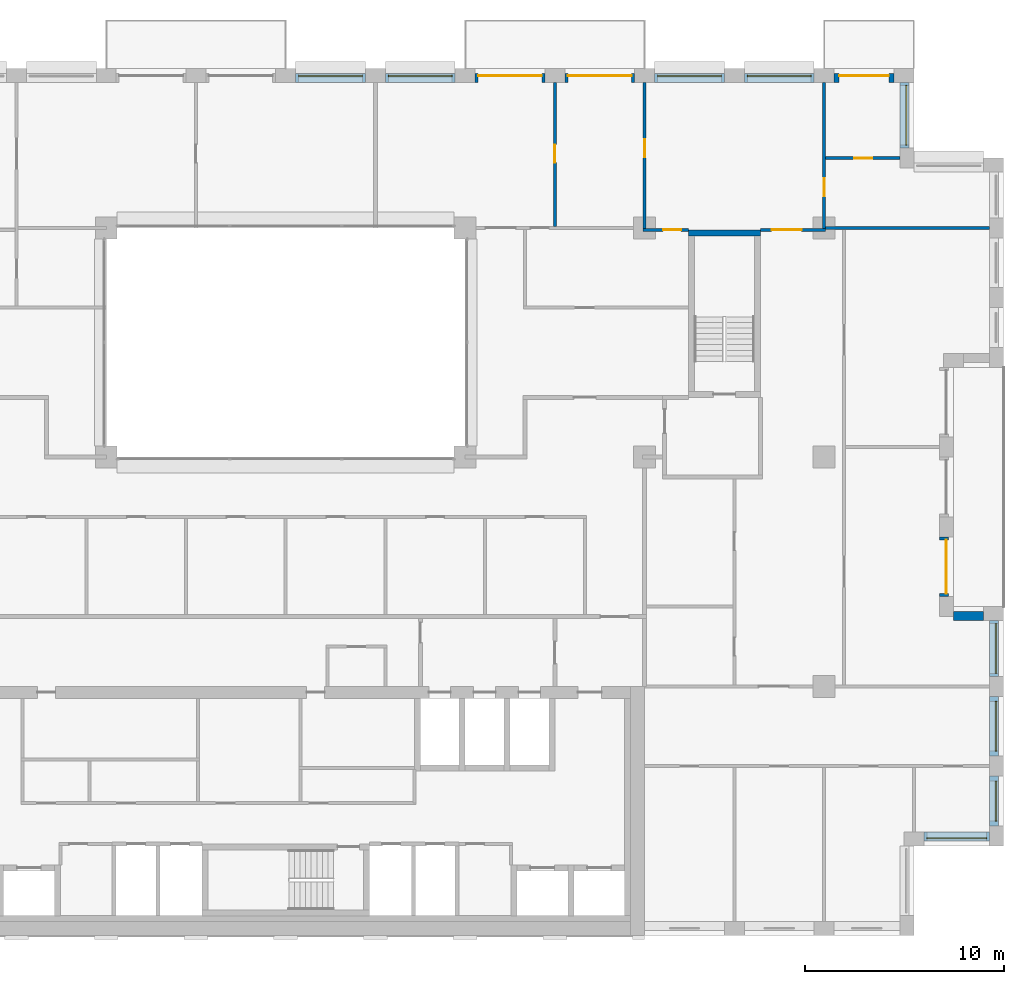
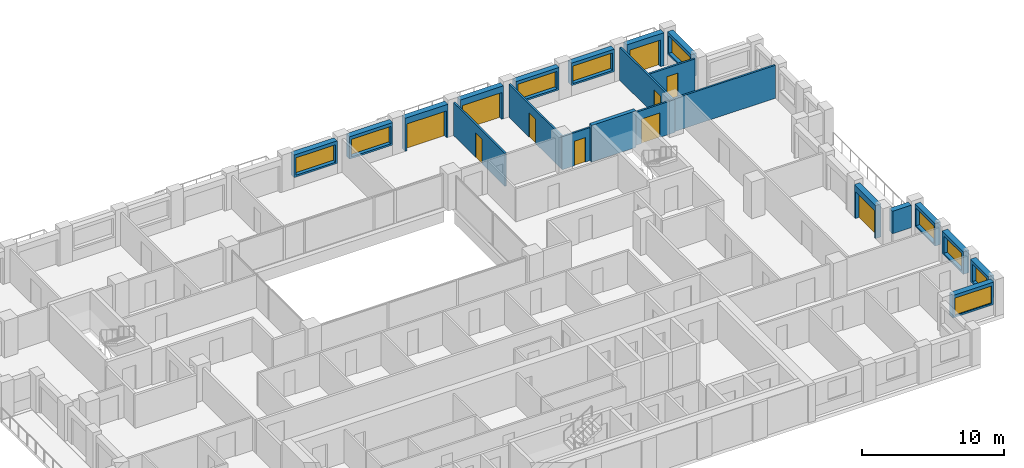
# One storey, part 13 of 15: 22 walls, 10 doors, 9 windows, 19 openings.
"""IFC4 building model written with IfcOpenShell, lengths in metres."""

from ifc_helpers import new_model, si_unit, direction, frame, frame_2d, origin, place, context, subcontext, project, spatial, rectangle, extrude, material, layer, layer_set, type_object, element, fill, save


model = new_model("IFC4")

# Units and contexts
model_context = context("Model", 3, precision=1e-05, world=origin(), true_north=direction((0.0, 1.0)))
body_context = subcontext(model_context, "Body", "Model", "MODEL_VIEW")
ifc_project = project(units=[si_unit("LENGTHUNIT", "METRE"), si_unit("AREAUNIT", "SQUARE_METRE"), si_unit("VOLUMEUNIT", "CUBIC_METRE"), si_unit("PLANEANGLEUNIT", "RADIAN"), si_unit("MASSUNIT", "GRAM", prefix="KILO")], contexts=[model_context])

# Site, building, storey
site_placement = place(None, origin())
site = spatial("IfcSite", under=ifc_project, at=site_placement, CompositionType="ELEMENT")
building_placement = place(site_placement, origin())
building = spatial("IfcBuilding", under=site, at=building_placement, Name="Brigalow Station Residences", CompositionType="ELEMENT")
storey_placement = place(building_placement, frame((0.0, 0.0, 153.89990234375)))
storey = spatial("IfcBuildingStorey", under=building, at=storey_placement, Name="L44", CompositionType="ELEMENT", Elevation=153.89990234375)

# Wall, opening, window
ifc_material_1 = material(Name="Clay brick masonry", Category="masonry")
ifc_layer_1 = layer(ifc_material_1, 0.449951171875)
ifc_layer_set_1 = layer_set([ifc_layer_1], Name="BRICK INFILL WALL 450")
wall_type_1 = type_object("IfcWallType", Name="BRICK INFILL WALL 450", PredefinedType="SOLIDWALL", material=ifc_layer_set_1)
wall_1_placement = place(storey_placement, frame((68.0, 4.97509765625, 0.900146484375), z_axis=(0.0, 0.0, 1.0), x_axis=(1.0, 0.0, 0.0)))
wall_1 = element("IfcWall", 1, at=wall_1_placement, inside=storey, type_object=wall_type_1, Name="L44/ewall/W-L44-8", PredefinedType="SOLIDWALL", context=body_context, shape_type="SweptSolid", body=[
    extrude(rectangle(XDim=3.300048828125, YDim=0.449951171875, at=frame_2d((1.64990234375, 0.0))), origin(), (0.0, 0.0, 1.0), 1.929931640625),
])
opening_1_placement = place(wall_1_placement, frame((0.14990234375, 0.0, 0.14990234375)))
opening_1 = element("IfcOpeningElement", 2, at=opening_1_placement, cuts=wall_1, Name="Opening WT-2", PredefinedType="OPENING", context=body_context, shape_type="SweptSolid", body=[
    extrude(rectangle(XDim=3.0, YDim=1.5, at=frame_2d((1.5, 0.75))), frame((0.0, 0.23486328125, 0.0), z_axis=(0.0, -1.0, 0.0), x_axis=(1.0, 0.0, 0.0)), (0.0, 0.0, 1.0), 0.469970703125),
])
ifc_material_2 = material(Name="Anodised aluminium frame with double glazing", Category="aluminium")
window_type_1 = type_object("IfcWindowType", Name="WINDOW 3000x1500", PartitioningType="SINGLE_PANEL", PredefinedType="WINDOW", material=ifc_material_2)
window_1_placement = place(opening_1_placement, origin())
window_1 = element("IfcWindow", 3, at=window_1_placement, inside=storey, type_object=window_type_1, Name="L44/window/W-L44-8", OverallHeight=1.5, OverallWidth=3.0, PartitioningType="SINGLE_PANEL", PredefinedType="WINDOW", context=body_context, shape_type="SweptSolid", body=[
    extrude(rectangle(XDim=3.0, YDim=1.5, at=frame_2d((1.5, 0.75))), frame((0.0, -0.06494140625, 0.0), z_axis=(0.0, -1.0, 0.0), x_axis=(1.0, 0.0, 0.0)), (0.0, 0.0, 1.0), 0.06005859375),
])
fill(opening_1, window_1)

wall_2_placement = place(storey_placement, frame((71.52490234375, 5.5, 0.900146484375), z_axis=(0.0, 0.0, 1.0), x_axis=(0.0, 1.0, 0.0)))
wall_2 = element("IfcWall", 4, at=wall_2_placement, inside=storey, type_object=wall_type_1, Name="L44/ewall/W-L44-9", PredefinedType="SOLIDWALL", context=body_context, shape_type="SweptSolid", body=[
    extrude(rectangle(XDim=2.5, YDim=0.449951171875, at=frame_2d((1.25, 0.0))), origin(), (0.0, 0.0, 1.0), 1.929931640625),
])
opening_2_placement = place(wall_2_placement, frame((0.25, 0.0, 0.14990234375)))
opening_2 = element("IfcOpeningElement", 5, at=opening_2_placement, cuts=wall_2, Name="Opening WT-7", PredefinedType="OPENING", context=body_context, shape_type="SweptSolid", body=[
    extrude(rectangle(XDim=2.0, YDim=1.5, at=frame_2d((1.0, 0.75))), frame((0.0, 0.23486328125, 0.0), z_axis=(0.0, -1.0, 0.0), x_axis=(1.0, 0.0, 0.0)), (0.0, 0.0, 1.0), 0.469970703125),
])
ifc_material_3 = material(Name="Anodised aluminium frame with double glazing", Category="aluminium")
window_type_2 = type_object("IfcWindowType", Name="WINDOW 2000x1500", PartitioningType="SINGLE_PANEL", PredefinedType="WINDOW", material=ifc_material_3)
window_2_placement = place(opening_2_placement, origin())
window_2 = element("IfcWindow", 6, at=window_2_placement, inside=storey, type_object=window_type_2, Name="L44/window/W-L44-9", OverallHeight=1.5, OverallWidth=2.0, PartitioningType="SINGLE_PANEL", PredefinedType="WINDOW", context=body_context, shape_type="SweptSolid", body=[
    extrude(rectangle(XDim=2.0, YDim=1.5, at=frame_2d((1.0, 0.75))), frame((0.0, -0.06494140625, 0.0), z_axis=(0.0, -1.0, 0.0), x_axis=(1.0, 0.0, 0.0)), (0.0, 0.0, 1.0), 0.06005859375),
])
fill(opening_2, window_2)

wall_3_placement = place(storey_placement, frame((71.52490234375, 9.0, 0.900146484375), z_axis=(0.0, 0.0, 1.0), x_axis=(0.0, 1.0, 0.0)))
wall_3 = element("IfcWall", 7, at=wall_3_placement, inside=storey, type_object=wall_type_1, Name="L44/ewall/W-L44-10", PredefinedType="SOLIDWALL", context=body_context, shape_type="SweptSolid", body=[
    extrude(rectangle(XDim=3.0, YDim=0.449951171875, at=frame_2d((1.5, 0.0))), origin(), (0.0, 0.0, 1.0), 1.929931640625),
])
opening_3_placement = place(wall_3_placement, frame((0.25, 0.0, 0.14990234375)))
opening_3 = element("IfcOpeningElement", 8, at=opening_3_placement, cuts=wall_3, Name="Opening WT-5", PredefinedType="OPENING", context=body_context, shape_type="SweptSolid", body=[
    extrude(rectangle(XDim=2.5, YDim=1.5, at=frame_2d((1.25, 0.75))), frame((0.0, 0.23486328125, 0.0), z_axis=(0.0, -1.0, 0.0), x_axis=(1.0, 0.0, 0.0)), (0.0, 0.0, 1.0), 0.469970703125),
])
ifc_material_4 = material(Name="Anodised aluminium frame with double glazing", Category="aluminium")
window_type_3 = type_object("IfcWindowType", Name="WINDOW 2500x1500", PartitioningType="SINGLE_PANEL", PredefinedType="WINDOW", material=ifc_material_4)
window_3_placement = place(opening_3_placement, origin())
window_3 = element("IfcWindow", 9, at=window_3_placement, inside=storey, type_object=window_type_3, Name="L44/window/W-L44-10", OverallHeight=1.5, OverallWidth=2.5, PartitioningType="SINGLE_PANEL", PredefinedType="WINDOW", context=body_context, shape_type="SweptSolid", body=[
    extrude(rectangle(XDim=2.5, YDim=1.5, at=frame_2d((1.25, 0.75))), frame((0.0, -0.06494140625, 0.0), z_axis=(0.0, -1.0, 0.0), x_axis=(1.0, 0.0, 0.0)), (0.0, 0.0, 1.0), 0.06005859375),
])
fill(opening_3, window_3)

wall_4_placement = place(storey_placement, frame((71.52490234375, 13.0, 0.900146484375), z_axis=(0.0, 0.0, 1.0), x_axis=(0.0, 1.0, 0.0)))
wall_4 = element("IfcWall", 10, at=wall_4_placement, inside=storey, type_object=wall_type_1, Name="L44/ewall/W-L44-11", PredefinedType="SOLIDWALL", context=body_context, shape_type="SweptSolid", body=[
    extrude(rectangle(XDim=2.800048828125, YDim=0.449951171875, at=frame_2d((1.39990234375, 0.0))), origin(), (0.0, 0.0, 1.0), 1.929931640625),
])
opening_4_placement = place(wall_4_placement, frame((0.14990234375, 0.0, 0.14990234375)))
opening_4 = element("IfcOpeningElement", 11, at=opening_4_placement, cuts=wall_4, Name="Opening WT-5", PredefinedType="OPENING", context=body_context, shape_type="SweptSolid", body=[
    extrude(rectangle(XDim=2.5, YDim=1.5, at=frame_2d((1.25, 0.75))), frame((0.0, 0.23486328125, 0.0), z_axis=(0.0, -1.0, 0.0), x_axis=(1.0, 0.0, 0.0)), (0.0, 0.0, 1.0), 0.469970703125),
])
window_4_placement = place(opening_4_placement, origin())
window_4 = element("IfcWindow", 12, at=window_4_placement, inside=storey, type_object=window_type_3, Name="L44/window/W-L44-11", OverallHeight=1.5, OverallWidth=2.5, PartitioningType="SINGLE_PANEL", PredefinedType="WINDOW", context=body_context, shape_type="SweptSolid", body=[
    extrude(rectangle(XDim=2.5, YDim=1.5, at=frame_2d((1.25, 0.75))), frame((0.0, -0.06494140625, 0.0), z_axis=(0.0, -1.0, 0.0), x_axis=(1.0, 0.0, 0.0)), (0.0, 0.0, 1.0), 0.06005859375),
])
fill(opening_4, window_4)

# Wall
wall_5_placement = place(storey_placement, frame((71.0, 16.02490234375, 0.900146484375), z_axis=(0.0, 0.0, 1.0), x_axis=(-1.0, 0.0, 0.0)))
element("IfcWall", 13, at=wall_5_placement, inside=storey, type_object=wall_type_1, Name="L44/ewall/W-L44-12", PredefinedType="SOLIDWALL", context=body_context, shape_type="SweptSolid", body=[
    extrude(rectangle(XDim=1.5, YDim=0.449951171875, at=frame_2d((0.75, 0.0))), origin(), (0.0, 0.0, 1.0), 1.929931640625),
])

# Wall, opening, door
wall_6_placement = place(storey_placement, frame((69.02490234375, 17.0, 0.0), z_axis=(0.0, 0.0, 1.0), x_axis=(0.0, 1.0, 0.0)))
wall_6 = element("IfcWall", 14, at=wall_6_placement, inside=storey, type_object=wall_type_1, Name="L44/ewall/W-L44-13", PredefinedType="SOLIDWALL", context=body_context, shape_type="SweptSolid", body=[
    extrude(rectangle(XDim=3.0, YDim=0.449951171875, at=frame_2d((1.5, 0.0))), origin(), (0.0, 0.0, 1.0), 2.830078125),
])
opening_5_placement = place(wall_6_placement, frame((0.14990234375, 0.0, 0.0)))
opening_5 = element("IfcOpeningElement", 15, at=opening_5_placement, cuts=wall_6, Name="Opening D-B2700", PredefinedType="OPENING", context=body_context, shape_type="SweptSolid", body=[
    extrude(rectangle(XDim=2.699951171875, YDim=2.300048828125, at=frame_2d((1.35009765625, 1.14990234375))), frame((0.0, 0.23486328125, 0.0), z_axis=(0.0, -1.0, 0.0), x_axis=(1.0, 0.0, 0.0)), (0.0, 0.0, 1.0), 0.469970703125),
])
ifc_material_5 = material(Name="Anodised aluminium frame with double glazing", Category="aluminium")
door_type_1 = type_object("IfcDoorType", Name="BALCONY SLIDING DOOR 2700x2300", OperationType="SLIDING_TO_LEFT", PredefinedType="DOOR", material=ifc_material_5)
door_1_placement = place(opening_5_placement, origin())
door_1 = element("IfcDoor", 16, at=door_1_placement, inside=storey, type_object=door_type_1, Name="L44/balcony-door/W-L44-13", OperationType="SLIDING_TO_LEFT", OverallHeight=2.300048828125, OverallWidth=2.699951171875, PredefinedType="DOOR", context=body_context, shape_type="SweptSolid", body=[
    extrude(rectangle(XDim=2.699951171875, YDim=2.300048828125, at=frame_2d((1.35009765625, 1.14990234375))), frame((0.0, -0.06982421875, 0.0), z_axis=(0.0, -1.0, 0.0), x_axis=(1.0, 0.0, 0.0)), (0.0, 0.0, 1.0), 0.050048828125),
])
fill(opening_5, door_1)

# Wall, opening, window
wall_7_placement = place(storey_placement, frame((67.02490234375, 39.5, 0.900146484375), z_axis=(0.0, 0.0, 1.0), x_axis=(0.0, 1.0, 0.0)))
wall_7 = element("IfcWall", 17, at=wall_7_placement, inside=storey, type_object=wall_type_1, Name="L44/ewall/W-L44-21", PredefinedType="SOLIDWALL", context=body_context, shape_type="SweptSolid", body=[
    extrude(rectangle(XDim=3.300048828125, YDim=0.449951171875, at=frame_2d((1.64990234375, 0.0))), origin(), (0.0, 0.0, 1.0), 1.929931640625),
])
opening_6_placement = place(wall_7_placement, frame((0.14990234375, 0.0, 0.14990234375)))
opening_6 = element("IfcOpeningElement", 18, at=opening_6_placement, cuts=wall_7, Name="Opening WT-2", PredefinedType="OPENING", context=body_context, shape_type="SweptSolid", body=[
    extrude(rectangle(XDim=3.0, YDim=1.5, at=frame_2d((1.5, 0.75))), frame((0.0, 0.23486328125, 0.0), z_axis=(0.0, -1.0, 0.0), x_axis=(1.0, 0.0, 0.0)), (0.0, 0.0, 1.0), 0.469970703125),
])
window_5_placement = place(opening_6_placement, origin())
window_5 = element("IfcWindow", 19, at=window_5_placement, inside=storey, type_object=window_type_1, Name="L44/window/W-L44-21", OverallHeight=1.5, OverallWidth=3.0, PartitioningType="SINGLE_PANEL", PredefinedType="WINDOW", context=body_context, shape_type="SweptSolid", body=[
    extrude(rectangle(XDim=3.0, YDim=1.5, at=frame_2d((1.5, 0.75))), frame((0.0, -0.06494140625, 0.0), z_axis=(0.0, -1.0, 0.0), x_axis=(1.0, 0.0, 0.0)), (0.0, 0.0, 1.0), 0.06005859375),
])
fill(opening_6, window_5)

# Wall, opening, door
wall_8_placement = place(storey_placement, frame((66.5, 43.02490234375, 0.0), z_axis=(0.0, 0.0, 1.0), x_axis=(-1.0, 0.0, 0.0)))
wall_8 = element("IfcWall", 20, at=wall_8_placement, inside=storey, type_object=wall_type_1, Name="L44/ewall/W-L44-22", PredefinedType="SOLIDWALL", context=body_context, shape_type="SweptSolid", body=[
    extrude(rectangle(XDim=3.0, YDim=0.449951171875, at=frame_2d((1.5, 0.0))), origin(), (0.0, 0.0, 1.0), 2.830078125),
])
opening_7_placement = place(wall_8_placement, frame((0.25, 0.0, 0.0)))
opening_7 = element("IfcOpeningElement", 21, at=opening_7_placement, cuts=wall_8, Name="Opening D-B2500", PredefinedType="OPENING", context=body_context, shape_type="SweptSolid", body=[
    extrude(rectangle(XDim=2.5, YDim=2.300048828125, at=frame_2d((1.25, 1.14990234375))), frame((0.0, 0.23486328125, 0.0), z_axis=(0.0, -1.0, 0.0), x_axis=(1.0, 0.0, 0.0)), (0.0, 0.0, 1.0), 0.469970703125),
])
ifc_material_6 = material(Name="Anodised aluminium frame with double glazing", Category="aluminium")
door_type_2 = type_object("IfcDoorType", Name="BALCONY SLIDING DOOR 2500x2300", OperationType="SLIDING_TO_LEFT", PredefinedType="DOOR", material=ifc_material_6)
door_2_placement = place(opening_7_placement, origin())
door_2 = element("IfcDoor", 22, at=door_2_placement, inside=storey, type_object=door_type_2, Name="L44/balcony-door/W-L44-22", OperationType="SLIDING_TO_LEFT", OverallHeight=2.300048828125, OverallWidth=2.5, PredefinedType="DOOR", context=body_context, shape_type="SweptSolid", body=[
    extrude(rectangle(XDim=2.5, YDim=2.300048828125, at=frame_2d((1.25, 1.14990234375))), frame((0.0, -0.06982421875, 0.0), z_axis=(0.0, -1.0, 0.0), x_axis=(1.0, 0.0, 0.0)), (0.0, 0.0, 1.0), 0.050048828125),
])
fill(opening_7, door_2)

# Wall, opening, window
wall_9_placement = place(storey_placement, frame((62.5, 43.02490234375, 0.900146484375), z_axis=(0.0, 0.0, 1.0), x_axis=(-1.0, 0.0, 0.0)))
wall_9 = element("IfcWall", 23, at=wall_9_placement, inside=storey, type_object=wall_type_1, Name="L44/ewall/W-L44-23", PredefinedType="SOLIDWALL", context=body_context, shape_type="SweptSolid", body=[
    extrude(rectangle(XDim=3.5, YDim=0.449951171875, at=frame_2d((1.75, 0.0))), origin(), (0.0, 0.0, 1.0), 1.929931640625),
])
opening_8_placement = place(wall_9_placement, frame((0.14990234375, 0.0, 0.14990234375)))
opening_8 = element("IfcOpeningElement", 24, at=opening_8_placement, cuts=wall_9, Name="Opening WT-9", PredefinedType="OPENING", context=body_context, shape_type="SweptSolid", body=[
    extrude(rectangle(XDim=3.199951171875, YDim=1.5, at=frame_2d((1.60009765625, 0.75))), frame((0.0, 0.23486328125, 0.0), z_axis=(0.0, -1.0, 0.0), x_axis=(1.0, 0.0, 0.0)), (0.0, 0.0, 1.0), 0.469970703125),
])
ifc_material_7 = material(Name="Anodised aluminium frame with double glazing", Category="aluminium")
window_type_4 = type_object("IfcWindowType", Name="WINDOW 3200x1500", PartitioningType="SINGLE_PANEL", PredefinedType="WINDOW", material=ifc_material_7)
window_6_placement = place(opening_8_placement, origin())
window_6 = element("IfcWindow", 25, at=window_6_placement, inside=storey, type_object=window_type_4, Name="L44/window/W-L44-23", OverallHeight=1.5, OverallWidth=3.199951171875, PartitioningType="SINGLE_PANEL", PredefinedType="WINDOW", context=body_context, shape_type="SweptSolid", body=[
    extrude(rectangle(XDim=3.199951171875, YDim=1.5, at=frame_2d((1.60009765625, 0.75))), frame((0.0, -0.06494140625, 0.0), z_axis=(0.0, -1.0, 0.0), x_axis=(1.0, 0.0, 0.0)), (0.0, 0.0, 1.0), 0.06005859375),
])
fill(opening_8, window_6)

wall_10_placement = place(storey_placement, frame((58.0, 43.02490234375, 0.900146484375), z_axis=(0.0, 0.0, 1.0), x_axis=(-1.0, 0.0, 0.0)))
wall_10 = element("IfcWall", 26, at=wall_10_placement, inside=storey, type_object=wall_type_1, Name="L44/ewall/W-L44-24", PredefinedType="SOLIDWALL", context=body_context, shape_type="SweptSolid", body=[
    extrude(rectangle(XDim=3.5, YDim=0.449951171875, at=frame_2d((1.75, 0.0))), origin(), (0.0, 0.0, 1.0), 1.929931640625),
])
opening_9_placement = place(wall_10_placement, frame((0.14990234375, 0.0, 0.14990234375)))
opening_9 = element("IfcOpeningElement", 27, at=opening_9_placement, cuts=wall_10, Name="Opening WT-9", PredefinedType="OPENING", context=body_context, shape_type="SweptSolid", body=[
    extrude(rectangle(XDim=3.199951171875, YDim=1.5, at=frame_2d((1.60009765625, 0.75))), frame((0.0, 0.23486328125, 0.0), z_axis=(0.0, -1.0, 0.0), x_axis=(1.0, 0.0, 0.0)), (0.0, 0.0, 1.0), 0.469970703125),
])
window_7_placement = place(opening_9_placement, origin())
window_7 = element("IfcWindow", 28, at=window_7_placement, inside=storey, type_object=window_type_4, Name="L44/window/W-L44-24", OverallHeight=1.5, OverallWidth=3.199951171875, PartitioningType="SINGLE_PANEL", PredefinedType="WINDOW", context=body_context, shape_type="SweptSolid", body=[
    extrude(rectangle(XDim=3.199951171875, YDim=1.5, at=frame_2d((1.60009765625, 0.75))), frame((0.0, -0.06494140625, 0.0), z_axis=(0.0, -1.0, 0.0), x_axis=(1.0, 0.0, 0.0)), (0.0, 0.0, 1.0), 0.06005859375),
])
fill(opening_9, window_7)

# Wall, opening, door
wall_11_placement = place(storey_placement, frame((53.5, 43.02490234375, 0.0), z_axis=(0.0, 0.0, 1.0), x_axis=(-1.0, 0.0, 0.0)))
wall_11 = element("IfcWall", 29, at=wall_11_placement, inside=storey, type_object=wall_type_1, Name="L44/ewall/W-L44-25", PredefinedType="SOLIDWALL", context=body_context, shape_type="SweptSolid", body=[
    extrude(rectangle(XDim=3.5, YDim=0.449951171875, at=frame_2d((1.75, 0.0))), origin(), (0.0, 0.0, 1.0), 2.830078125),
])
opening_10_placement = place(wall_11_placement, frame((0.14990234375, 0.0, 0.0)))
opening_10 = element("IfcOpeningElement", 30, at=opening_10_placement, cuts=wall_11, Name="Opening D-B3200", PredefinedType="OPENING", context=body_context, shape_type="SweptSolid", body=[
    extrude(rectangle(XDim=3.199951171875, YDim=2.300048828125, at=frame_2d((1.60009765625, 1.14990234375))), frame((0.0, 0.23486328125, 0.0), z_axis=(0.0, -1.0, 0.0), x_axis=(1.0, 0.0, 0.0)), (0.0, 0.0, 1.0), 0.469970703125),
])
ifc_material_8 = material(Name="Anodised aluminium frame with double glazing", Category="aluminium")
door_type_3 = type_object("IfcDoorType", Name="BALCONY SLIDING DOOR 3200x2300", OperationType="SLIDING_TO_LEFT", PredefinedType="DOOR", material=ifc_material_8)
door_3_placement = place(opening_10_placement, origin())
door_3 = element("IfcDoor", 31, at=door_3_placement, inside=storey, type_object=door_type_3, Name="L44/balcony-door/W-L44-25", OperationType="SLIDING_TO_LEFT", OverallHeight=2.300048828125, OverallWidth=3.199951171875, PredefinedType="DOOR", context=body_context, shape_type="SweptSolid", body=[
    extrude(rectangle(XDim=3.199951171875, YDim=2.300048828125, at=frame_2d((1.60009765625, 1.14990234375))), frame((0.0, -0.06982421875, 0.0), z_axis=(0.0, -1.0, 0.0), x_axis=(1.0, 0.0, 0.0)), (0.0, 0.0, 1.0), 0.050048828125),
])
fill(opening_10, door_3)

wall_12_placement = place(storey_placement, frame((49.0, 43.02490234375, 0.0), z_axis=(0.0, 0.0, 1.0), x_axis=(-1.0, 0.0, 0.0)))
wall_12 = element("IfcWall", 32, at=wall_12_placement, inside=storey, type_object=wall_type_1, Name="L44/ewall/W-L44-26", PredefinedType="SOLIDWALL", context=body_context, shape_type="SweptSolid", body=[
    extrude(rectangle(XDim=3.5, YDim=0.449951171875, at=frame_2d((1.75, 0.0))), origin(), (0.0, 0.0, 1.0), 2.830078125),
])
opening_11_placement = place(wall_12_placement, frame((0.14990234375, 0.0, 0.0)))
opening_11 = element("IfcOpeningElement", 33, at=opening_11_placement, cuts=wall_12, Name="Opening D-B3200", PredefinedType="OPENING", context=body_context, shape_type="SweptSolid", body=[
    extrude(rectangle(XDim=3.199951171875, YDim=2.300048828125, at=frame_2d((1.60009765625, 1.14990234375))), frame((0.0, 0.23486328125, 0.0), z_axis=(0.0, -1.0, 0.0), x_axis=(1.0, 0.0, 0.0)), (0.0, 0.0, 1.0), 0.469970703125),
])
door_4_placement = place(opening_11_placement, origin())
door_4 = element("IfcDoor", 34, at=door_4_placement, inside=storey, type_object=door_type_3, Name="L44/balcony-door/W-L44-26", OperationType="SLIDING_TO_LEFT", OverallHeight=2.300048828125, OverallWidth=3.199951171875, PredefinedType="DOOR", context=body_context, shape_type="SweptSolid", body=[
    extrude(rectangle(XDim=3.199951171875, YDim=2.300048828125, at=frame_2d((1.60009765625, 1.14990234375))), frame((0.0, -0.06982421875, 0.0), z_axis=(0.0, -1.0, 0.0), x_axis=(1.0, 0.0, 0.0)), (0.0, 0.0, 1.0), 0.050048828125),
])
fill(opening_11, door_4)

# Wall, opening, window
wall_13_placement = place(storey_placement, frame((44.5, 43.02490234375, 0.900146484375), z_axis=(0.0, 0.0, 1.0), x_axis=(-1.0, 0.0, 0.0)))
wall_13 = element("IfcWall", 35, at=wall_13_placement, inside=storey, type_object=wall_type_1, Name="L44/ewall/W-L44-27", PredefinedType="SOLIDWALL", context=body_context, shape_type="SweptSolid", body=[
    extrude(rectangle(XDim=3.5, YDim=0.449951171875, at=frame_2d((1.75, 0.0))), origin(), (0.0, 0.0, 1.0), 1.929931640625),
])
opening_12_placement = place(wall_13_placement, frame((0.14990234375, 0.0, 0.14990234375)))
opening_12 = element("IfcOpeningElement", 36, at=opening_12_placement, cuts=wall_13, Name="Opening WT-9", PredefinedType="OPENING", context=body_context, shape_type="SweptSolid", body=[
    extrude(rectangle(XDim=3.199951171875, YDim=1.5, at=frame_2d((1.60009765625, 0.75))), frame((0.0, 0.23486328125, 0.0), z_axis=(0.0, -1.0, 0.0), x_axis=(1.0, 0.0, 0.0)), (0.0, 0.0, 1.0), 0.469970703125),
])
window_8_placement = place(opening_12_placement, origin())
window_8 = element("IfcWindow", 37, at=window_8_placement, inside=storey, type_object=window_type_4, Name="L44/window/W-L44-27", OverallHeight=1.5, OverallWidth=3.199951171875, PartitioningType="SINGLE_PANEL", PredefinedType="WINDOW", context=body_context, shape_type="SweptSolid", body=[
    extrude(rectangle(XDim=3.199951171875, YDim=1.5, at=frame_2d((1.60009765625, 0.75))), frame((0.0, -0.06494140625, 0.0), z_axis=(0.0, -1.0, 0.0), x_axis=(1.0, 0.0, 0.0)), (0.0, 0.0, 1.0), 0.06005859375),
])
fill(opening_12, window_8)

wall_14_placement = place(storey_placement, frame((40.0, 43.02490234375, 0.900146484375), z_axis=(0.0, 0.0, 1.0), x_axis=(-1.0, 0.0, 0.0)))
wall_14 = element("IfcWall", 38, at=wall_14_placement, inside=storey, type_object=wall_type_1, Name="L44/ewall/W-L44-28", PredefinedType="SOLIDWALL", context=body_context, shape_type="SweptSolid", body=[
    extrude(rectangle(XDim=3.5, YDim=0.449951171875, at=frame_2d((1.75, 0.0))), origin(), (0.0, 0.0, 1.0), 1.929931640625),
])
opening_13_placement = place(wall_14_placement, frame((0.14990234375, 0.0, 0.14990234375)))
opening_13 = element("IfcOpeningElement", 39, at=opening_13_placement, cuts=wall_14, Name="Opening WT-9", PredefinedType="OPENING", context=body_context, shape_type="SweptSolid", body=[
    extrude(rectangle(XDim=3.199951171875, YDim=1.5, at=frame_2d((1.60009765625, 0.75))), frame((0.0, 0.23486328125, 0.0), z_axis=(0.0, -1.0, 0.0), x_axis=(1.0, 0.0, 0.0)), (0.0, 0.0, 1.0), 0.469970703125),
])
window_9_placement = place(opening_13_placement, origin())
window_9 = element("IfcWindow", 40, at=window_9_placement, inside=storey, type_object=window_type_4, Name="L44/window/W-L44-28", OverallHeight=1.5, OverallWidth=3.199951171875, PartitioningType="SINGLE_PANEL", PredefinedType="WINDOW", context=body_context, shape_type="SweptSolid", body=[
    extrude(rectangle(XDim=3.199951171875, YDim=1.5, at=frame_2d((1.60009765625, 0.75))), frame((0.0, -0.06494140625, 0.0), z_axis=(0.0, -1.0, 0.0), x_axis=(1.0, 0.0, 0.0)), (0.0, 0.0, 1.0), 0.06005859375),
])
fill(opening_13, window_9)

# Wall
ifc_material_9 = material(Name="Concrete C65", Category="concrete")
ifc_layer_2 = layer(ifc_material_9, 0.300048828125)
ifc_layer_set_2 = layer_set([ifc_layer_2], Name="CORE SHEAR WALL 300 C65")
wall_type_2 = type_object("IfcWallType", Name="CORE SHEAR WALL 300 C65", PredefinedType="SHEAR", material=ifc_layer_set_2)
wall_15_placement = place(storey_placement, frame((56.199951171875, 35.25, 0.0), z_axis=(0.0, 0.0, 1.0), x_axis=(1.0, 0.0, 0.0)))
element("IfcWall", 41, at=wall_15_placement, inside=storey, type_object=wall_type_2, Name="CORE WALL ST-S3-N L44", PredefinedType="SHEAR", context=body_context, shape_type="SweptSolid", body=[
    extrude(rectangle(XDim=3.60009765625, YDim=0.300048828125, at=frame_2d((1.800048828125, 0.0))), origin(), (0.0, 0.0, 1.0), 3.150146484375),
])

# Wall, opening, door
ifc_material_10 = material(Name="Plasterboard on steel stud partition", Category="steel")
ifc_layer_3 = layer(ifc_material_10, 0.14990234375)
ifc_layer_set_3 = layer_set([ifc_layer_3], Name="FLAT PARTITION 150")
wall_type_3 = type_object("IfcWallType", Name="FLAT PARTITION 150", PredefinedType="PARTITIONING", material=ifc_layer_set_3)
wall_16_placement = place(storey_placement, frame((53.925048828125, 35.39990234375, 0.0), z_axis=(0.0, 0.0, 1.0), x_axis=(1.0, 0.0, 0.0)))
wall_16 = element("IfcWall", 42, at=wall_16_placement, inside=storey, type_object=wall_type_3, Name="PW-3B12", PredefinedType="PARTITIONING", context=body_context, shape_type="SweptSolid", body=[
    extrude(rectangle(XDim=2.27490234375, YDim=0.14990234375, at=frame_2d((1.137451171875, 0.0))), origin(), (0.0, 0.0, 1.0), 2.830078125),
])
opening_14_placement = place(wall_16_placement, frame((1.0, 0.0, 0.0)))
opening_14 = element("IfcOpeningElement", 43, at=opening_14_placement, cuts=wall_16, Name="Opening D-3B20", PredefinedType="OPENING", context=body_context, shape_type="SweptSolid", body=[
    extrude(rectangle(XDim=0.89990234375, YDim=2.10009765625, at=frame_2d((0.449951171875, 1.050048828125))), frame((0.0, 0.0849609375, 0.0), z_axis=(0.0, -1.0, 0.0), x_axis=(1.0, 0.0, 0.0)), (0.0, 0.0, 1.0), 0.169921875),
])
ifc_material_11 = material(Name="Solid-core timber door leaf", Category="wood")
door_type_4 = type_object("IfcDoorType", Name="INTERNAL DOOR 900 x 2100", OperationType="SINGLE_SWING_LEFT", PredefinedType="DOOR", material=ifc_material_11)
door_5_placement = place(opening_14_placement, frame((0.89990234375, 0.0, 0.0), z_axis=(0.0, 0.0, 1.0), x_axis=(-1.0, 0.0, 0.0)))
door_5 = element("IfcDoor", 44, at=door_5_placement, inside=storey, type_object=door_type_4, Name="D-3B20", OperationType="SINGLE_SWING_LEFT", OverallHeight=2.10009765625, OverallWidth=0.89990234375, PredefinedType="DOOR", context=body_context, shape_type="SweptSolid", body=[
    extrude(rectangle(XDim=0.89990234375, YDim=2.10009765625, at=frame_2d((0.449951171875, 1.050048828125))), frame((0.0, 0.02490234375, 0.0), z_axis=(0.0, -1.0, 0.0), x_axis=(1.0, 0.0, 0.0)), (0.0, 0.0, 1.0), 0.050048828125),
])
fill(opening_14, door_5)

wall_17_placement = place(storey_placement, frame((59.800048828125, 35.39990234375, 0.0), z_axis=(0.0, 0.0, 1.0), x_axis=(1.0, 0.0, 0.0)))
wall_17 = element("IfcWall", 45, at=wall_17_placement, inside=storey, type_object=wall_type_3, Name="PW-3B13", PredefinedType="PARTITIONING", context=body_context, shape_type="SweptSolid", body=[
    extrude(rectangle(XDim=3.27490234375, YDim=0.14990234375, at=frame_2d((1.637451171875, 0.0))), origin(), (0.0, 0.0, 1.0), 2.830078125),
])
opening_15_placement = place(wall_17_placement, frame((0.574951171875, 0.0, 0.0)))
opening_15 = element("IfcOpeningElement", 46, at=opening_15_placement, cuts=wall_17, Name="Opening D-3B24", PredefinedType="OPENING", context=body_context, shape_type="SweptSolid", body=[
    extrude(rectangle(XDim=1.5, YDim=2.10009765625, at=frame_2d((0.75, 1.050048828125))), frame((0.0, 0.0849609375, 0.0), z_axis=(0.0, -1.0, 0.0), x_axis=(1.0, 0.0, 0.0)), (0.0, 0.0, 1.0), 0.169921875),
])
ifc_material_12 = material(Name="Solid-core timber door leaf", Category="wood")
door_type_5 = type_object("IfcDoorType", Name="INTERNAL DOUBLE DOOR 1500 x 2100", OperationType="DOUBLE_DOOR_SINGLE_SWING", PredefinedType="DOOR", material=ifc_material_12)
door_6_placement = place(opening_15_placement, origin())
door_6 = element("IfcDoor", 47, at=door_6_placement, inside=storey, type_object=door_type_5, Name="D-3B24", OperationType="DOUBLE_DOOR_SINGLE_SWING", OverallHeight=2.10009765625, OverallWidth=1.5, PredefinedType="DOOR", context=body_context, shape_type="SweptSolid", body=[
    extrude(rectangle(XDim=1.5, YDim=2.10009765625, at=frame_2d((0.75, 1.050048828125))), frame((0.0, 0.02490234375, 0.0), z_axis=(0.0, -1.0, 0.0), x_axis=(1.0, 0.0, 0.0)), (0.0, 0.0, 1.0), 0.050048828125),
])
fill(opening_15, door_6)

# Wall
wall_18_placement = place(storey_placement, frame((63.074951171875, 35.5, 0.0), z_axis=(0.0, 0.0, 1.0), x_axis=(1.0, 0.0, 0.0)))
element("IfcWall", 48, at=wall_18_placement, inside=storey, type_object=wall_type_3, Name="PW-3B16", PredefinedType="PARTITIONING", context=body_context, shape_type="SweptSolid", body=[
    extrude(rectangle(XDim=8.22509765625, YDim=0.14990234375, at=frame_2d((4.112548828125, 0.0))), origin(), (0.0, 0.0, 1.0), 2.830078125),
])

# Wall, opening, door
wall_19_placement = place(storey_placement, frame((63.074951171875, 39.0, 0.0), z_axis=(0.0, 0.0, 1.0), x_axis=(1.0, 0.0, 0.0)))
wall_19 = element("IfcWall", 49, at=wall_19_placement, inside=storey, type_object=wall_type_3, Name="PW-3B25", PredefinedType="PARTITIONING", context=body_context, shape_type="SweptSolid", body=[
    extrude(rectangle(XDim=3.72509765625, YDim=0.14990234375, at=frame_2d((1.862548828125, 0.0))), origin(), (0.0, 0.0, 1.0), 2.830078125),
])
opening_16_placement = place(wall_19_placement, frame((1.449951171875, 0.0, 0.0)))
opening_16 = element("IfcOpeningElement", 50, at=opening_16_placement, cuts=wall_19, Name="Opening D-3B26", PredefinedType="OPENING", context=body_context, shape_type="SweptSolid", body=[
    extrude(rectangle(XDim=0.89990234375, YDim=2.10009765625, at=frame_2d((0.449951171875, 1.050048828125))), frame((0.0, 0.0849609375, 0.0), z_axis=(0.0, -1.0, 0.0), x_axis=(1.0, 0.0, 0.0)), (0.0, 0.0, 1.0), 0.169921875),
])
door_7_placement = place(opening_16_placement, origin())
door_7 = element("IfcDoor", 51, at=door_7_placement, inside=storey, type_object=door_type_4, Name="D-3B26", OperationType="SINGLE_SWING_RIGHT", OverallHeight=2.10009765625, OverallWidth=0.89990234375, PredefinedType="DOOR", context=body_context, shape_type="SweptSolid", body=[
    extrude(rectangle(XDim=0.89990234375, YDim=2.10009765625, at=frame_2d((0.449951171875, 1.050048828125))), frame((0.0, 0.02490234375, 0.0), z_axis=(0.0, -1.0, 0.0), x_axis=(1.0, 0.0, 0.0)), (0.0, 0.0, 1.0), 0.050048828125),
])
fill(opening_16, door_7)

wall_20_placement = place(storey_placement, frame((54.0, 35.47509765625, 0.0), z_axis=(0.0, 0.0, 1.0), x_axis=(0.0, 1.0, 0.0)))
wall_20 = element("IfcWall", 52, at=wall_20_placement, inside=storey, type_object=wall_type_3, Name="PW-3B28", PredefinedType="PARTITIONING", context=body_context, shape_type="SweptSolid", body=[
    extrude(rectangle(XDim=7.324951171875, YDim=0.14990234375, at=frame_2d((3.66259765625, 0.0))), origin(), (0.0, 0.0, 1.0), 2.830078125),
])
opening_17_placement = place(wall_20_placement, frame((3.574951171875, 0.0, 0.0)))
opening_17 = element("IfcOpeningElement", 53, at=opening_17_placement, cuts=wall_20, Name="Opening D-3B23", PredefinedType="OPENING", context=body_context, shape_type="SweptSolid", body=[
    extrude(rectangle(XDim=0.89990234375, YDim=2.10009765625, at=frame_2d((0.449951171875, 1.050048828125))), frame((0.0, 0.0849609375, 0.0), z_axis=(0.0, -1.0, 0.0), x_axis=(1.0, 0.0, 0.0)), (0.0, 0.0, 1.0), 0.169921875),
])
door_8_placement = place(opening_17_placement, origin())
door_8 = element("IfcDoor", 54, at=door_8_placement, inside=storey, type_object=door_type_4, Name="D-3B23", OperationType="SINGLE_SWING_RIGHT", OverallHeight=2.10009765625, OverallWidth=0.89990234375, PredefinedType="DOOR", context=body_context, shape_type="SweptSolid", body=[
    extrude(rectangle(XDim=0.89990234375, YDim=2.10009765625, at=frame_2d((0.449951171875, 1.050048828125))), frame((0.0, 0.02490234375, 0.0), z_axis=(0.0, -1.0, 0.0), x_axis=(1.0, 0.0, 0.0)), (0.0, 0.0, 1.0), 0.050048828125),
])
fill(opening_17, door_8)

wall_21_placement = place(storey_placement, frame((49.5, 35.574951171875, 0.0), z_axis=(0.0, 0.0, 1.0), x_axis=(0.0, 1.0, 0.0)))
wall_21 = element("IfcWall", 55, at=wall_21_placement, inside=storey, type_object=wall_type_3, Name="PW-3B42", PredefinedType="PARTITIONING", context=body_context, shape_type="SweptSolid", body=[
    extrude(rectangle(XDim=7.22509765625, YDim=0.14990234375, at=frame_2d((3.612548828125, 0.0))), origin(), (0.0, 0.0, 1.0), 2.830078125),
])
opening_18_placement = place(wall_21_placement, frame((3.199951171875, 0.0, 0.0)))
opening_18 = element("IfcOpeningElement", 56, at=opening_18_placement, cuts=wall_21, Name="Opening D-3B22", PredefinedType="OPENING", context=body_context, shape_type="SweptSolid", body=[
    extrude(rectangle(XDim=0.89990234375, YDim=2.10009765625, at=frame_2d((0.449951171875, 1.050048828125))), frame((0.0, 0.0849609375, 0.0), z_axis=(0.0, -1.0, 0.0), x_axis=(1.0, 0.0, 0.0)), (0.0, 0.0, 1.0), 0.169921875),
])
door_9_placement = place(opening_18_placement, frame((0.89990234375, 0.0, 0.0), z_axis=(0.0, 0.0, 1.0), x_axis=(-1.0, 0.0, 0.0)))
door_9 = element("IfcDoor", 57, at=door_9_placement, inside=storey, type_object=door_type_4, Name="D-3B22", OperationType="SINGLE_SWING_LEFT", OverallHeight=2.10009765625, OverallWidth=0.89990234375, PredefinedType="DOOR", context=body_context, shape_type="SweptSolid", body=[
    extrude(rectangle(XDim=0.89990234375, YDim=2.10009765625, at=frame_2d((0.449951171875, 1.050048828125))), frame((0.0, 0.02490234375, 0.0), z_axis=(0.0, -1.0, 0.0), x_axis=(1.0, 0.0, 0.0)), (0.0, 0.0, 1.0), 0.050048828125),
])
fill(opening_18, door_9)

wall_22_placement = place(storey_placement, frame((63.0, 35.47509765625, 0.0), z_axis=(0.0, 0.0, 1.0), x_axis=(0.0, 1.0, 0.0)))
wall_22 = element("IfcWall", 58, at=wall_22_placement, inside=storey, type_object=wall_type_3, Name="PW-3B44", PredefinedType="PARTITIONING", context=body_context, shape_type="SweptSolid", body=[
    extrude(rectangle(XDim=7.324951171875, YDim=0.14990234375, at=frame_2d((3.66259765625, 0.0))), origin(), (0.0, 0.0, 1.0), 2.830078125),
])
opening_19_placement = place(wall_22_placement, frame((1.60009765625, 0.0, 0.0)))
opening_19 = element("IfcOpeningElement", 59, at=opening_19_placement, cuts=wall_22, Name="Opening D-3B25", PredefinedType="OPENING", context=body_context, shape_type="SweptSolid", body=[
    extrude(rectangle(XDim=0.89990234375, YDim=2.10009765625, at=frame_2d((0.449951171875, 1.050048828125))), frame((0.0, 0.0849609375, 0.0), z_axis=(0.0, -1.0, 0.0), x_axis=(1.0, 0.0, 0.0)), (0.0, 0.0, 1.0), 0.169921875),
])
door_10_placement = place(opening_19_placement, frame((0.89990234375, 0.0, 0.0), z_axis=(0.0, 0.0, 1.0), x_axis=(-1.0, 0.0, 0.0)))
door_10 = element("IfcDoor", 60, at=door_10_placement, inside=storey, type_object=door_type_4, Name="D-3B25", OperationType="SINGLE_SWING_LEFT", OverallHeight=2.10009765625, OverallWidth=0.89990234375, PredefinedType="DOOR", context=body_context, shape_type="SweptSolid", body=[
    extrude(rectangle(XDim=0.89990234375, YDim=2.10009765625, at=frame_2d((0.449951171875, 1.050048828125))), frame((0.0, 0.02490234375, 0.0), z_axis=(0.0, -1.0, 0.0), x_axis=(1.0, 0.0, 0.0)), (0.0, 0.0, 1.0), 0.050048828125),
])
fill(opening_19, door_10)

save(model, "model.ifc")
